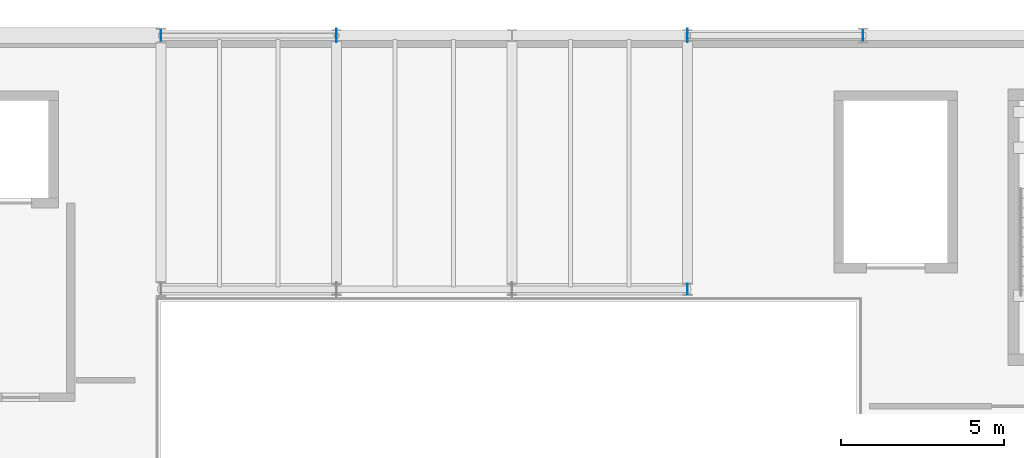
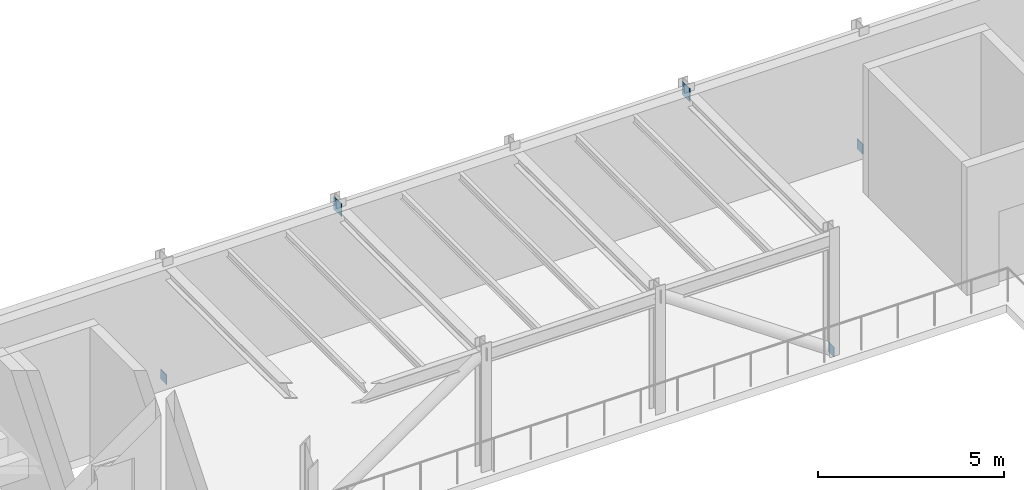
# One storey, part 37 of 122: 5 plates.
"""IFC4 building model written with IfcOpenShell, lengths in metres."""

from ifc_helpers import new_model, si_unit, direction, frame, origin, origin_2d, place, context, subcontext, project, spatial, rectangle, extrude, material, layer, layer_set, type_object, element, save


model = new_model("IFC4")

# Units and contexts
model_context = context("Model", 3, precision=1e-05, world=origin(), true_north=direction((0.0, 1.0)))
body_context = subcontext(model_context, "Body", "Model", "MODEL_VIEW")
ifc_project = project(units=[si_unit("LENGTHUNIT", "METRE"), si_unit("AREAUNIT", "SQUARE_METRE"), si_unit("VOLUMEUNIT", "CUBIC_METRE"), si_unit("PLANEANGLEUNIT", "RADIAN"), si_unit("MASSUNIT", "GRAM", prefix="KILO")], contexts=[model_context])

# Site, building, storey
site_placement = place(None, origin())
site = spatial("IfcSite", under=ifc_project, at=site_placement, CompositionType="ELEMENT")
building_placement = place(site_placement, origin())
building = spatial("IfcBuilding", under=site, at=building_placement, Name="Tazoul Stagehouse", CompositionType="ELEMENT")
storey_placement = place(building_placement, frame((0.0, 0.0, 4.800048828125)))
storey = spatial("IfcBuildingStorey", under=building, at=storey_placement, Name="L01", CompositionType="ELEMENT", Elevation=4.800048828125)

# Plates
ifc_material = material(Name="Steel S355", Category="steel")
ifc_layer_1 = layer(ifc_material, 0.02001953125, Name="Steel S355")
ifc_layer_set_1 = layer_set([ifc_layer_1], Name="Steel S355")
plate_type_1 = type_object("IfcPlateType", Name="Steel Brace End-Cap Plate 320x320x20", PredefinedType="USERDEFINED", material=ifc_layer_set_1)
plate_placement = place(storey_placement, frame((84.60009765625, 104.0, -0.0400390625), z_axis=(0.0, 0.0, 1.0), x_axis=(-1.0, 0.0, 0.0)))
element("IfcPlate", 1, at=plate_placement, inside=storey, type_object=plate_type_1, Name="L01 Gusset End-Cap Plate GP-01 (BR-FT-L01-IN2-1)", ObjectType="GUSSET PLATE", PredefinedType="USERDEFINED", context=body_context, shape_type="SweptSolid", body=[
    extrude(rectangle(XDim=0.02001953125, YDim=0.320068359375, at=origin_2d()), origin(), (0.0, 0.0, 1.0), 0.320068359375),
])
ifc_layer_2 = layer(ifc_material, 0.02001953125, Name="Steel S355")
ifc_layer_set_2 = layer_set([ifc_layer_2], Name="Steel S355")
plate_type_2 = type_object("IfcPlateType", Name="Steel Brace End-Cap Plate 320x320x20 (Exterior)", PredefinedType="USERDEFINED", material=ifc_layer_set_2)
for number, where, z_axis, x_axis, name in (
    (2, (68.39990234375, 111.800048828125, -0.01025390625), (0.0, 0.0, 1.0), (1.0, 0.0, 0.0), "L01 Gusset End-Cap Plate GP-01E (BR-FT-L01-N1-1)"),
    (3, (90.0, 111.800048828125, -0.01025390625), (0.0, 0.0, 1.0), (-1.0, 0.0, 0.0), "L01 Gusset End-Cap Plate GP-01E (BR-FT-L01-N2-1)"),
):
    element("IfcPlate", number, at=place(storey_placement, frame(where, z_axis=z_axis, x_axis=x_axis)), inside=storey, type_object=plate_type_2, Name=name, ObjectType="GUSSET PLATE", PredefinedType="USERDEFINED", context=body_context, shape_type="SweptSolid", body=[
        extrude(rectangle(XDim=0.02001953125, YDim=0.320068359375, at=origin_2d()), origin(), (0.0, 0.0, 1.0), 0.320068359375),
    ])
ifc_layer_3 = layer(ifc_material, 0.02392578125, Name="Steel S355")
ifc_layer_set_3 = layer_set([ifc_layer_3], Name="Steel S355")
plate_type_3 = type_object("IfcPlateType", Name="Steel Gusset Node Plate 420x420x24 (Exterior)", PredefinedType="USERDEFINED", material=ifc_layer_set_3)
for number, where, z_axis, x_axis, name in (
    (4, (73.800048828125, 111.800048828125, 3.639892578125), (0.0, 0.0, 1.0), (1.0, 0.0, 0.0), "L01 Gusset End-Cap Plate GP-02E (BR-FT-L01-N1-2)"),
    (5, (84.60009765625, 111.800048828125, 3.639892578125), (0.0, 0.0, 1.0), (-1.0, 0.0, 0.0), "L01 Gusset End-Cap Plate GP-02E (BR-FT-L01-N2-2)"),
):
    element("IfcPlate", number, at=place(storey_placement, frame(where, z_axis=z_axis, x_axis=x_axis)), inside=storey, type_object=plate_type_3, Name=name, ObjectType="GUSSET PLATE", PredefinedType="USERDEFINED", context=body_context, shape_type="SweptSolid", body=[
        extrude(rectangle(XDim=0.02392578125, YDim=0.419921875, at=origin_2d()), origin(), (0.0, 0.0, 1.0), 0.419921875),
    ])

save(model, "model.ifc")
